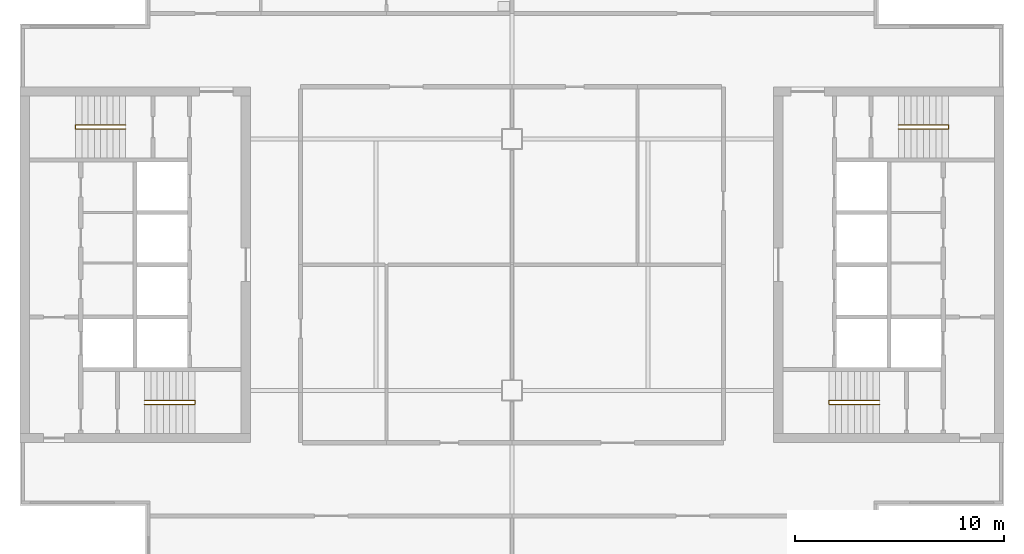
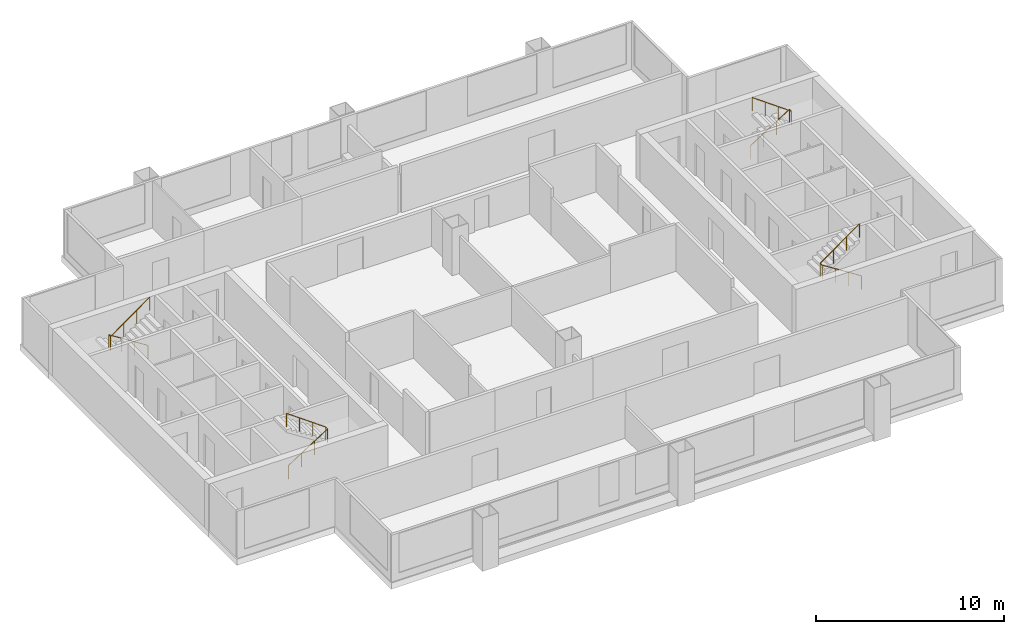
# One storey, part 6 of 7: 4 railings.
"""IFC4 building model written with IfcOpenShell, lengths in metres."""

from ifc_helpers import new_model, si_unit, direction, frame, origin, origin_2d, place, context, subcontext, project, spatial, circle, extrude, material, type_object, element, save


model = new_model("IFC4")

# Units and contexts
model_context = context("Model", 3, precision=1e-05, world=origin(), true_north=direction((0.0, 1.0)))
body_context = subcontext(model_context, "Body", "Model", "MODEL_VIEW")
ifc_project = project(units=[si_unit("LENGTHUNIT", "METRE"), si_unit("AREAUNIT", "SQUARE_METRE"), si_unit("VOLUMEUNIT", "CUBIC_METRE"), si_unit("PLANEANGLEUNIT", "RADIAN"), si_unit("MASSUNIT", "GRAM", prefix="KILO")], contexts=[model_context])

# Site, building, storey
site_placement = place(None, origin())
site = spatial("IfcSite", under=ifc_project, at=site_placement, CompositionType="ELEMENT")
building_placement = place(site_placement, origin())
building = spatial("IfcBuilding", under=site, at=building_placement, Name="Kitamizu Gate Tower and Museum", CompositionType="ELEMENT")
storey_placement = place(building_placement, frame((0.0, 0.0, 269.699951171875)))
storey = spatial("IfcBuildingStorey", under=building, at=storey_placement, Name="L73", CompositionType="ELEMENT", Elevation=269.699951171875)

# Railings
ifc_material = material(Name="Stainless steel SUS304", Category="steel")
railing_type = type_object("IfcRailingType", Name="Stair handrail 900", PredefinedType="HANDRAIL", material=ifc_material)
railing_1_placement = place(storey_placement, frame((18.449951171875, 23.324951171875, 0.191650390625)))
element("IfcRailing", 1, at=railing_1_placement, inside=storey, type_object=railing_type, Name="Stair handrail ST1", PredefinedType="HANDRAIL", context=body_context, shape_type="SweptSolid", body=[
    extrude(circle(Radius=0.02392578125, at=origin_2d()), frame((0.0, 0.0, 0.8759765625), z_axis=(0.842693018954, 0.0, 0.538394349715), x_axis=(0.0, 1.0, 0.0)), (0.0, 0.0, 1.0), 2.84814453125),
    extrude(circle(Radius=0.02392578125, at=origin_2d()), frame((2.400146484375, 0.0, 2.4091796875), z_axis=(0.0, 1.0, 0.0), x_axis=(-1.0, 0.0, 0.0)), (0.0, 0.0, 1.0), 0.199951171875),
    extrude(circle(Radius=0.02392578125, at=origin_2d()), frame((2.400146484375, 0.199951171875, 2.4091796875), z_axis=(-0.812055739374, 0.0, 0.583579879837), x_axis=(0.0, -1.0, 0.0)), (0.0, 0.0, 1.0), 2.95556640625),
    extrude(circle(Radius=0.02099609375, at=origin_2d()), origin(), (0.0, 0.0, 1.0), 0.851806640625),
    extrude(circle(Radius=0.02099609375, at=origin_2d()), frame((0.800048828125, 0.0, 0.51123046875)), (0.0, 0.0, 1.0), 0.851806640625),
    extrude(circle(Radius=0.02099609375, at=origin_2d()), frame((1.60009765625, 0.0, 1.022216796875)), (0.0, 0.0, 1.0), 0.851806640625),
    extrude(circle(Radius=0.02099609375, at=origin_2d()), frame((2.400146484375, 0.0, 1.533447265625)), (0.0, 0.0, 1.0), 0.851806640625),
    extrude(circle(Radius=0.02099609375, at=origin_2d()), frame((2.400146484375, 0.199951171875, 1.533447265625)), (0.0, 0.0, 1.0), 0.851806640625),
    extrude(circle(Radius=0.02099609375, at=origin_2d()), frame((1.60009765625, 0.199951171875, 2.1083984375)), (0.0, 0.0, 1.0), 0.851806640625),
    extrude(circle(Radius=0.02099609375, at=origin_2d()), frame((0.800048828125, 0.199951171875, 2.683349609375)), (0.0, 0.0, 1.0), 0.851806640625),
    extrude(circle(Radius=0.02099609375, at=origin_2d()), frame((0.0, 0.199951171875, 3.25830078125)), (0.0, 0.0, 1.0), 0.851806640625),
])
railing_2_placement = place(storey_placement, frame((17.550048828125, 36.675048828125, 0.191650390625)))
element("IfcRailing", 2, at=railing_2_placement, inside=storey, type_object=railing_type, Name="Stair handrail ST2", PredefinedType="HANDRAIL", context=body_context, shape_type="SweptSolid", body=[
    extrude(circle(Radius=0.02392578125, at=origin_2d()), frame((0.0, 0.0, 0.8759765625), z_axis=(-0.842693018954, 0.0, 0.538394349715), x_axis=(0.0, -1.0, 0.0)), (0.0, 0.0, 1.0), 2.84814453125),
    extrude(circle(Radius=0.02392578125, at=origin_2d()), frame((-2.400146484375, 0.0, 2.4091796875), z_axis=(0.0, -1.0, 0.0), x_axis=(1.0, 0.0, 0.0)), (0.0, 0.0, 1.0), 0.199951171875),
    extrude(circle(Radius=0.02392578125, at=origin_2d()), frame((-2.400146484375, -0.199951171875, 2.4091796875), z_axis=(0.812055739374, 0.0, 0.583579879837), x_axis=(0.0, 1.0, 0.0)), (0.0, 0.0, 1.0), 2.95556640625),
    extrude(circle(Radius=0.02099609375, at=origin_2d()), origin(), (0.0, 0.0, 1.0), 0.851806640625),
    extrude(circle(Radius=0.02099609375, at=origin_2d()), frame((-0.800048828125, 0.0, 0.51123046875)), (0.0, 0.0, 1.0), 0.851806640625),
    extrude(circle(Radius=0.02099609375, at=origin_2d()), frame((-1.60009765625, 0.0, 1.022216796875)), (0.0, 0.0, 1.0), 0.851806640625),
    extrude(circle(Radius=0.02099609375, at=origin_2d()), frame((-2.400146484375, 0.0, 1.533447265625)), (0.0, 0.0, 1.0), 0.851806640625),
    extrude(circle(Radius=0.02099609375, at=origin_2d()), frame((-2.400146484375, -0.199951171875, 1.533447265625)), (0.0, 0.0, 1.0), 0.851806640625),
    extrude(circle(Radius=0.02099609375, at=origin_2d()), frame((-1.60009765625, -0.199951171875, 2.1083984375)), (0.0, 0.0, 1.0), 0.851806640625),
    extrude(circle(Radius=0.02099609375, at=origin_2d()), frame((-0.800048828125, -0.199951171875, 2.683349609375)), (0.0, 0.0, 1.0), 0.851806640625),
    extrude(circle(Radius=0.02099609375, at=origin_2d()), frame((0.0, -0.199951171875, 3.25830078125)), (0.0, 0.0, 1.0), 0.851806640625),
])
railing_3_placement = place(storey_placement, frame((53.550048828125, 23.324951171875, 0.191650390625)))
element("IfcRailing", 3, at=railing_3_placement, inside=storey, type_object=railing_type, Name="Stair handrail ST3", PredefinedType="HANDRAIL", context=body_context, shape_type="SweptSolid", body=[
    extrude(circle(Radius=0.02392578125, at=origin_2d()), frame((0.0, 0.0, 0.8759765625), z_axis=(-0.842693018954, 0.0, 0.538394349715), x_axis=(0.0, -1.0, 0.0)), (0.0, 0.0, 1.0), 2.84814453125),
    extrude(circle(Radius=0.02392578125, at=origin_2d()), frame((-2.400146484375, 0.0, 2.4091796875), z_axis=(0.0, 1.0, 0.0), x_axis=(-1.0, 0.0, 0.0)), (0.0, 0.0, 1.0), 0.199951171875),
    extrude(circle(Radius=0.02392578125, at=origin_2d()), frame((-2.400146484375, 0.199951171875, 2.4091796875), z_axis=(0.812055739374, 0.0, 0.583579879837), x_axis=(0.0, 1.0, 0.0)), (0.0, 0.0, 1.0), 2.95556640625),
    extrude(circle(Radius=0.02099609375, at=origin_2d()), origin(), (0.0, 0.0, 1.0), 0.851806640625),
    extrude(circle(Radius=0.02099609375, at=origin_2d()), frame((-0.800048828125, 0.0, 0.51123046875)), (0.0, 0.0, 1.0), 0.851806640625),
    extrude(circle(Radius=0.02099609375, at=origin_2d()), frame((-1.60009765625, 0.0, 1.022216796875)), (0.0, 0.0, 1.0), 0.851806640625),
    extrude(circle(Radius=0.02099609375, at=origin_2d()), frame((-2.400146484375, 0.0, 1.533447265625)), (0.0, 0.0, 1.0), 0.851806640625),
    extrude(circle(Radius=0.02099609375, at=origin_2d()), frame((-2.400146484375, 0.199951171875, 1.533447265625)), (0.0, 0.0, 1.0), 0.851806640625),
    extrude(circle(Radius=0.02099609375, at=origin_2d()), frame((-1.60009765625, 0.199951171875, 2.1083984375)), (0.0, 0.0, 1.0), 0.851806640625),
    extrude(circle(Radius=0.02099609375, at=origin_2d()), frame((-0.800048828125, 0.199951171875, 2.683349609375)), (0.0, 0.0, 1.0), 0.851806640625),
    extrude(circle(Radius=0.02099609375, at=origin_2d()), frame((0.0, 0.199951171875, 3.25830078125)), (0.0, 0.0, 1.0), 0.851806640625),
])
railing_4_placement = place(storey_placement, frame((54.449951171875, 36.675048828125, 0.191650390625)))
element("IfcRailing", 4, at=railing_4_placement, inside=storey, type_object=railing_type, Name="Stair handrail ST4", PredefinedType="HANDRAIL", context=body_context, shape_type="SweptSolid", body=[
    extrude(circle(Radius=0.02392578125, at=origin_2d()), frame((0.0, 0.0, 0.8759765625), z_axis=(0.842693018954, 0.0, 0.538394349715), x_axis=(0.0, 1.0, 0.0)), (0.0, 0.0, 1.0), 2.84814453125),
    extrude(circle(Radius=0.02392578125, at=origin_2d()), frame((2.400146484375, 0.0, 2.4091796875), z_axis=(0.0, -1.0, 0.0), x_axis=(1.0, 0.0, 0.0)), (0.0, 0.0, 1.0), 0.199951171875),
    extrude(circle(Radius=0.02392578125, at=origin_2d()), frame((2.400146484375, -0.199951171875, 2.4091796875), z_axis=(-0.812055739374, 0.0, 0.583579879837), x_axis=(0.0, -1.0, 0.0)), (0.0, 0.0, 1.0), 2.95556640625),
    extrude(circle(Radius=0.02099609375, at=origin_2d()), origin(), (0.0, 0.0, 1.0), 0.851806640625),
    extrude(circle(Radius=0.02099609375, at=origin_2d()), frame((0.800048828125, 0.0, 0.51123046875)), (0.0, 0.0, 1.0), 0.851806640625),
    extrude(circle(Radius=0.02099609375, at=origin_2d()), frame((1.60009765625, 0.0, 1.022216796875)), (0.0, 0.0, 1.0), 0.851806640625),
    extrude(circle(Radius=0.02099609375, at=origin_2d()), frame((2.400146484375, 0.0, 1.533447265625)), (0.0, 0.0, 1.0), 0.851806640625),
    extrude(circle(Radius=0.02099609375, at=origin_2d()), frame((2.400146484375, -0.199951171875, 1.533447265625)), (0.0, 0.0, 1.0), 0.851806640625),
    extrude(circle(Radius=0.02099609375, at=origin_2d()), frame((1.60009765625, -0.199951171875, 2.1083984375)), (0.0, 0.0, 1.0), 0.851806640625),
    extrude(circle(Radius=0.02099609375, at=origin_2d()), frame((0.800048828125, -0.199951171875, 2.683349609375)), (0.0, 0.0, 1.0), 0.851806640625),
    extrude(circle(Radius=0.02099609375, at=origin_2d()), frame((0.0, -0.199951171875, 3.25830078125)), (0.0, 0.0, 1.0), 0.851806640625),
])

save(model, "model.ifc")
